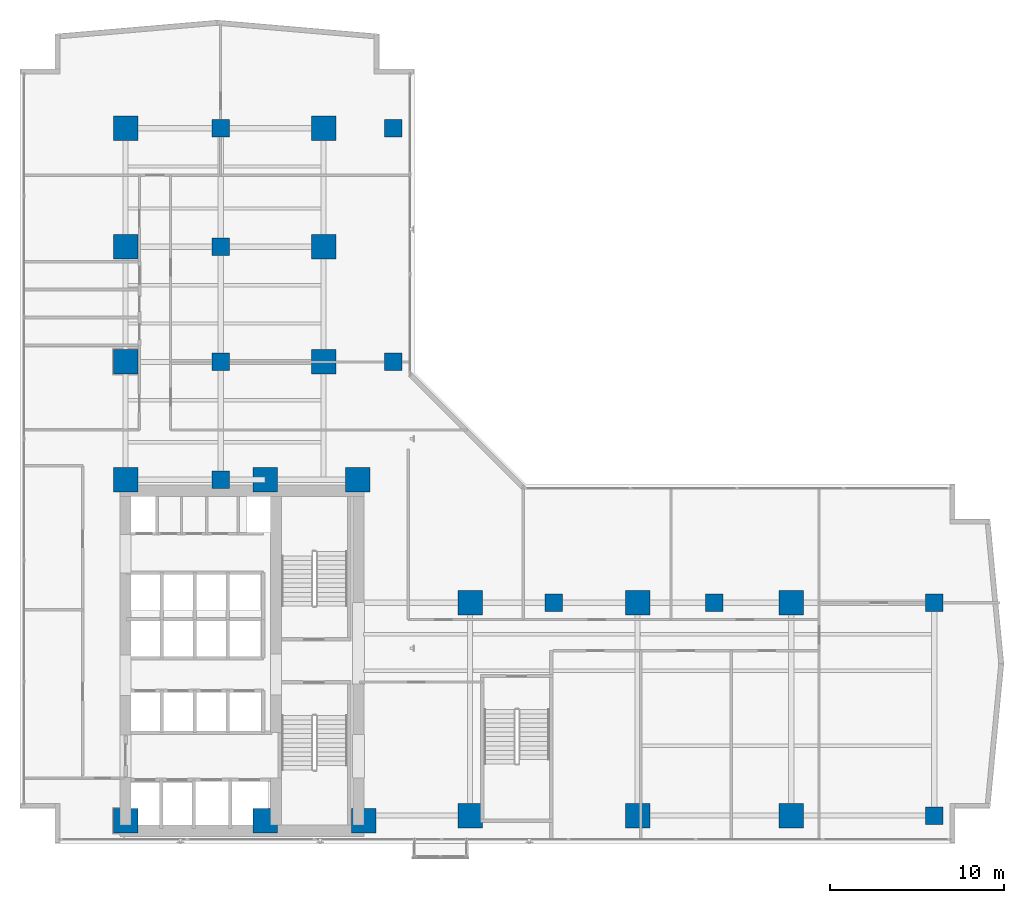
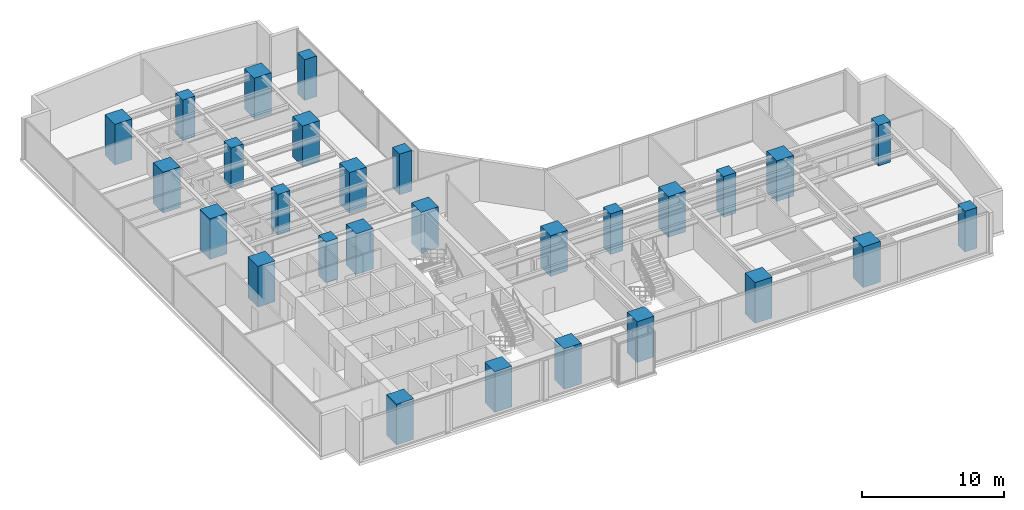
# One storey, part 1 of 25: 28 columns.
"""IFC4 building model written with IfcOpenShell, lengths in metres."""

from ifc_helpers import new_model, si_unit, direction, frame, origin, origin_2d, place, context, subcontext, project, spatial, rectangle, extrude, material, material_profile, profile_set, type_object, element, save


model = new_model("IFC4")

# Units and contexts
model_context = context("Model", 3, precision=1e-05, world=origin(), true_north=direction((0.0, 1.0)))
body_context = subcontext(model_context, "Body", "Model", "MODEL_VIEW")
ifc_project = project(units=[si_unit("LENGTHUNIT", "METRE"), si_unit("AREAUNIT", "SQUARE_METRE"), si_unit("VOLUMEUNIT", "CUBIC_METRE"), si_unit("PLANEANGLEUNIT", "RADIAN"), si_unit("MASSUNIT", "GRAM", prefix="KILO")], contexts=[model_context])

# Site, building, storey
site_placement = place(None, origin())
site = spatial("IfcSite", under=ifc_project, at=site_placement, CompositionType="ELEMENT")
building_placement = place(site_placement, origin())
building = spatial("IfcBuilding", under=site, at=building_placement, Name="Kolvaren Waterfront Exchange", CompositionType="ELEMENT")
storey_placement = place(building_placement, frame((0.0, 0.0, 106.89990234375)))
storey = spatial("IfcBuildingStorey", under=building, at=storey_placement, Name="L27", CompositionType="ELEMENT", Elevation=106.89990234375)

# Columns
ifc_material = material(Name="Concrete C60/75", Category="concrete")
ifc_material_profile_1 = material_profile(ifc_material, rectangle(XDim=1.0, YDim=1.0, at=origin_2d()), Name="RC-COL-1000x1000")
ifc_profile_set_1 = profile_set([ifc_material_profile_1], Name="Concrete C60/75")
column_type_1 = type_object("IfcColumnType", Name="STR-COL-1000-C60", PredefinedType="COLUMN", material=ifc_profile_set_1)
for number, where, z_axis, x_axis, name in (
    (1, (53.800048828125, 5.199951171875, 0.0), (0.0, 0.0, 1.0), (1.0, 0.0, 0.0), "L27 column ZC01"),
    (2, (53.800048828125, 17.39990234375, 0.0), (0.0, 0.0, 1.0), (1.0, 0.0, 0.0), "L27 column ZC02"),
    (3, (22.800048828125, 31.199951171875, 0.0), (0.0, 0.0, 1.0), (1.0, 0.0, 0.0), "L27 column ZC05"),
    (4, (22.800048828125, 44.60009765625, 0.0), (0.0, 0.0, 1.0), (1.0, 0.0, 0.0), "L27 column ZC06"),
    (5, (12.89990234375, 24.449951171875, 0.0), (0.0, 0.0, 1.0), (1.0, 0.0, 0.0), "L27 column TC01"),
    (6, (12.89990234375, 31.199951171875, 0.0), (0.0, 0.0, 1.0), (1.0, 0.0, 0.0), "L27 column TC02"),
    (7, (12.89990234375, 37.800048828125, 0.0), (0.0, 0.0, 1.0), (1.0, 0.0, 0.0), "L27 column TC03"),
    (8, (12.89990234375, 44.60009765625, 0.0), (0.0, 0.0, 1.0), (1.0, 0.0, 0.0), "L27 column TC04"),
    (9, (32.0, 17.39990234375, 0.0), (0.0, 0.0, 1.0), (1.0, 0.0, 0.0), "L27 column TC05"),
    (10, (41.199951171875, 17.39990234375, 0.0), (0.0, 0.0, 1.0), (1.0, 0.0, 0.0), "L27 column TC06"),
):
    element("IfcColumn", number, at=place(storey_placement, frame(where, z_axis=z_axis, x_axis=x_axis)), inside=storey, type_object=column_type_1, Name=name, PredefinedType="COLUMN", context=body_context, shape_type="SweptSolid", body=[
        extrude(rectangle(XDim=1.0, YDim=1.0, at=origin_2d()), origin(), (0.0, 0.0, 1.0), 3.5),
    ])
ifc_material_profile_2 = material_profile(ifc_material, rectangle(XDim=1.39990234375, YDim=1.39990234375, at=origin_2d()), Name="RC-COL-1400x1400")
ifc_profile_set_2 = profile_set([ifc_material_profile_2], Name="Concrete C60/75")
column_type_2 = type_object("IfcColumnType", Name="STR-COL-1400-C60", PredefinedType="COLUMN", material=ifc_profile_set_2)
for number, where, z_axis, x_axis, name in (
    (11, (7.449951171875, 4.89990234375, 0.0), (0.0, 0.0, 1.0), (1.0, 0.0, 0.0), "L27 column MC01"),
    (12, (15.449951171875, 4.89990234375, 0.0), (0.0, 0.0, 1.0), (1.0, 0.0, 0.0), "L27 column MC02"),
    (13, (21.10009765625, 4.89990234375, 0.0), (0.0, 0.0, 1.0), (1.0, 0.0, 0.0), "L27 column MC03"),
    (14, (7.449951171875, 24.449951171875, 0.0), (0.0, 0.0, 1.0), (1.0, 0.0, 0.0), "L27 column MC04"),
    (15, (15.449951171875, 24.449951171875, 0.0), (0.0, 0.0, 1.0), (1.0, 0.0, 0.0), "L27 column MC05"),
    (16, (20.75, 24.449951171875, 0.0), (0.0, 0.0, 1.0), (1.0, 0.0, 0.0), "L27 column MC06"),
    (17, (7.449951171875, 31.199951171875, 0.0), (0.0, 0.0, 1.0), (1.0, 0.0, 0.0), "L27 column NC01"),
    (18, (7.449951171875, 37.800048828125, 0.0), (0.0, 0.0, 1.0), (1.0, 0.0, 0.0), "L27 column NC02"),
    (19, (7.449951171875, 44.60009765625, 0.0), (0.0, 0.0, 1.0), (1.0, 0.0, 0.0), "L27 column NC03"),
    (20, (18.800048828125, 31.199951171875, 0.0), (0.0, 0.0, 1.0), (1.0, 0.0, 0.0), "L27 column NC04"),
    (21, (18.800048828125, 37.800048828125, 0.0), (0.0, 0.0, 1.0), (1.0, 0.0, 0.0), "L27 column NC05"),
    (22, (18.800048828125, 44.60009765625, 0.0), (0.0, 0.0, 1.0), (1.0, 0.0, 0.0), "L27 column NC06"),
    (23, (27.199951171875, 5.199951171875, 0.0), (0.0, 0.0, 1.0), (1.0, 0.0, 0.0), "L27 column EC01"),
    (24, (36.800048828125, 5.199951171875, 0.0), (0.0, 0.0, 1.0), (1.0, 0.0, 0.0), "L27 column EC02"),
    (25, (45.60009765625, 5.199951171875, 0.0), (0.0, 0.0, 1.0), (1.0, 0.0, 0.0), "L27 column EC03"),
    (26, (27.199951171875, 17.39990234375, 0.0), (0.0, 0.0, 1.0), (1.0, 0.0, 0.0), "L27 column EC04"),
    (27, (36.800048828125, 17.39990234375, 0.0), (0.0, 0.0, 1.0), (1.0, 0.0, 0.0), "L27 column EC05"),
    (28, (45.60009765625, 17.39990234375, 0.0), (0.0, 0.0, 1.0), (1.0, 0.0, 0.0), "L27 column EC06"),
):
    element("IfcColumn", number, at=place(storey_placement, frame(where, z_axis=z_axis, x_axis=x_axis)), inside=storey, type_object=column_type_2, Name=name, PredefinedType="COLUMN", context=body_context, shape_type="SweptSolid", body=[
        extrude(rectangle(XDim=1.39990234375, YDim=1.39990234375, at=origin_2d()), origin(), (0.0, 0.0, 1.0), 3.5),
    ])

save(model, "model.ifc")
